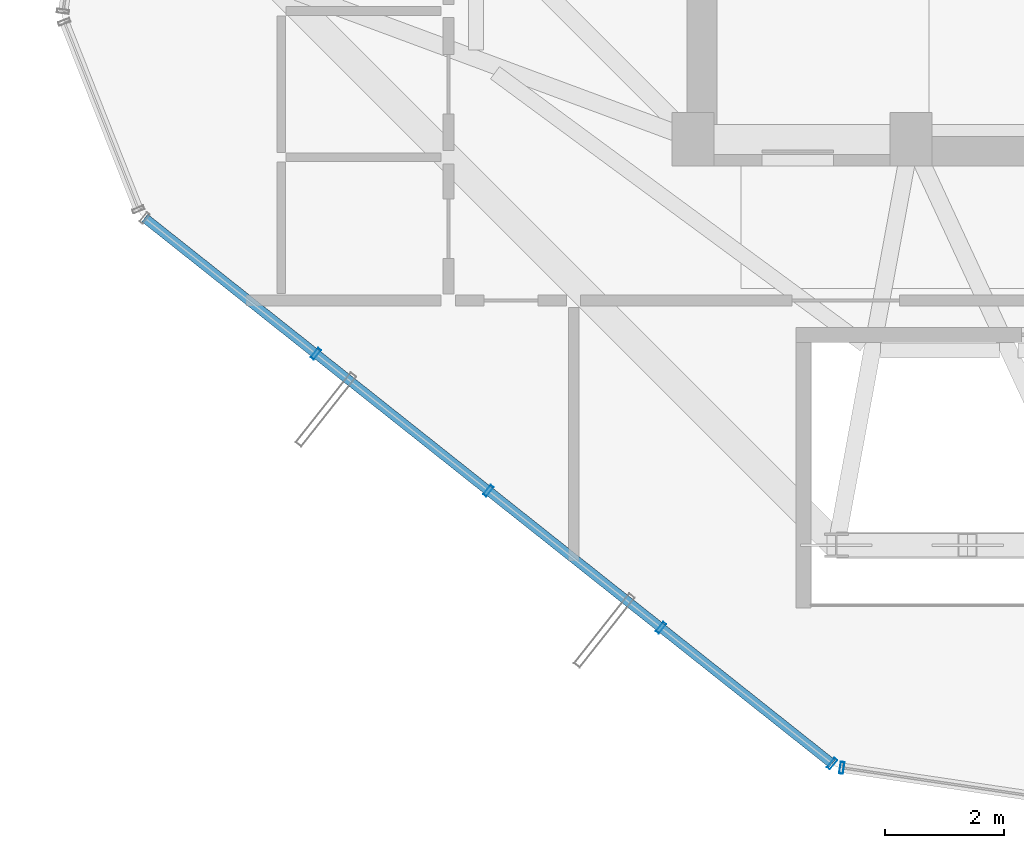
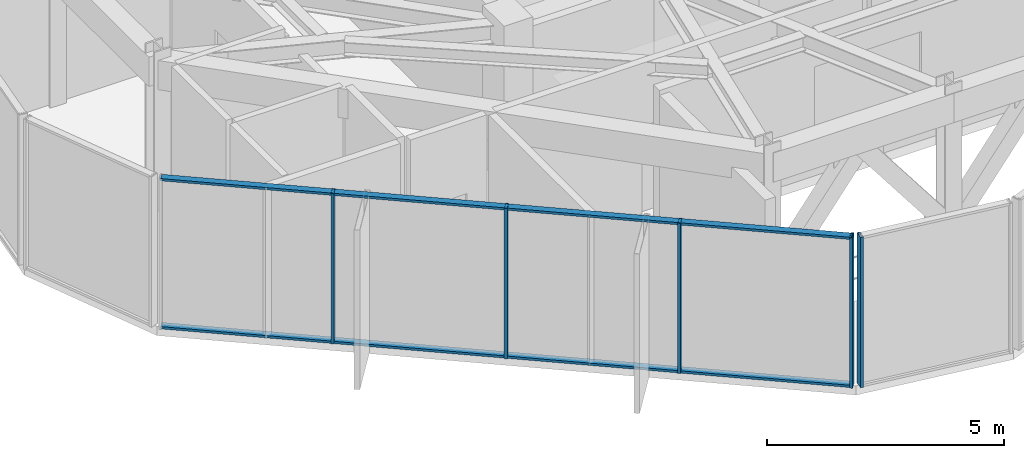
# One storey, part 2 of 22: 7 members, 2 elements without a shape of their own.
"""IFC4 building model written with IfcOpenShell, lengths in metres."""

from ifc_helpers import new_model, si_unit, direction, frame, origin, origin_2d, place, context, subcontext, project, spatial, hollow_rectangle, extrude, source, transform, mapped, material, layer, layer_set, material_profile, profile_set, type_object, element, aggregate, save


model = new_model("IFC4")

# Units and contexts
model_context = context("Model", 3, precision=1e-05, world=origin(), true_north=direction((0.0, 1.0)))
body_context = subcontext(model_context, "Body", "Model", "MODEL_VIEW")
ifc_project = project(units=[si_unit("LENGTHUNIT", "METRE"), si_unit("AREAUNIT", "SQUARE_METRE"), si_unit("VOLUMEUNIT", "CUBIC_METRE"), si_unit("PLANEANGLEUNIT", "RADIAN"), si_unit("MASSUNIT", "GRAM", prefix="KILO")], contexts=[model_context])

# Site, building, storey
site_placement = place(None, origin())
site = spatial("IfcSite", under=ifc_project, at=site_placement, CompositionType="ELEMENT")
building_placement = place(site_placement, origin())
building = spatial("IfcBuilding", under=site, at=building_placement, Name="Veraguas Prism Commons", CompositionType="ELEMENT")
storey_placement = place(building_placement, frame((0.0, 0.0, 236.550048828125)))
storey = spatial("IfcBuildingStorey", under=building, at=storey_placement, Name="L67", CompositionType="ELEMENT", Elevation=236.550048828125)

# Curtain wall, members
ifc_material = material(Name="Anodised aluminium EN AW-6063 T6", Category="aluminium")
ifc_layer = layer(ifc_material, 0.199951171875, Name="Sky Lobby and Pool Acoustic Curtain Wall", Category="aluminium")
ifc_layer_set = layer_set([ifc_layer], Name="Anodised aluminium EN AW-6063 T6")
curtain_wall_type = type_object("IfcCurtainWallType", Name="Sky Lobby and Pool Acoustic Curtain Wall", PredefinedType="NOTDEFINED", material=ifc_layer_set)
curtain_wall_1_placement = place(storey_placement, origin())
curtain_wall_1 = element("IfcCurtainWall", 1, at=curtain_wall_1_placement, inside=storey, type_object=curtain_wall_type, Name="Tower Facade Curtain Wall L67-F4", PredefinedType="NOTDEFINED")
ifc_material_profile_1 = material_profile(ifc_material, hollow_rectangle(XDim=0.06494140625, YDim=0.199951171875, WallThickness=0.00390625, at=origin_2d()), Name="AL65X200X4")
ifc_profile_set_1 = profile_set([ifc_material_profile_1], Name="Anodised aluminium EN AW-6063 T6")
member_type_1 = type_object("IfcMemberType", Name="Curtain Wall Mullion Heavy AL 65x200x4", PredefinedType="MULLION", material=ifc_profile_set_1)
shared_shape_1 = source(origin(), body_context, "Body", "SweptSolid", [
    extrude(hollow_rectangle(XDim=0.06494140625, YDim=0.199951171875, WallThickness=0.00390625, at=origin_2d()), origin(), (0.0, 0.0, 1.0), 3.864990234375),
])
member_1_placement = place(storey_placement, frame((10.87890625, 13.406982421875, 0.0), z_axis=(0.0, 0.0, 1.0), x_axis=(0.78325853836, -0.621696117155, 0.0)))
member_1 = element("IfcMember", 2, at=member_1_placement, type_object=member_type_1, Name="CW-SKY Mullion 2", PredefinedType="MULLION", context=body_context, shape_type="MappedRepresentation", body=[
    mapped(shared_shape_1, transform((0.0, 0.0, 0.0), scale=1.0)),
])
member_2_placement = place(storey_placement, frame((13.770263671875, 11.11181640625, 0.0), z_axis=(0.0, 0.0, 1.0), x_axis=(0.78325853836, -0.621696117155, 0.0)))
member_2 = element("IfcMember", 3, at=member_2_placement, type_object=member_type_1, Name="CW-SKY Mullion 3", PredefinedType="MULLION", context=body_context, shape_type="MappedRepresentation", body=[
    mapped(shared_shape_1, transform((0.0, 0.0, 0.0), scale=1.0)),
])
member_3_placement = place(storey_placement, frame((16.661865234375, 8.81689453125, 0.0), z_axis=(0.0, 0.0, 1.0), x_axis=(0.78325853836, -0.621696117155, 0.0)))
member_3 = element("IfcMember", 4, at=member_3_placement, type_object=member_type_1, Name="CW-SKY Mullion 4", PredefinedType="MULLION", context=body_context, shape_type="MappedRepresentation", body=[
    mapped(shared_shape_1, transform((0.0, 0.0, 0.0), scale=1.0)),
])
member_4_placement = place(storey_placement, frame((19.52783203125, 6.5419921875, 0.0), z_axis=(0.0, 0.0, 1.0), x_axis=(0.78325853836, -0.621696117155, 0.0)))
member_4 = element("IfcMember", 5, at=member_4_placement, type_object=member_type_1, Name="CW-SKY Mullion 5", PredefinedType="MULLION", context=body_context, shape_type="MappedRepresentation", body=[
    mapped(shared_shape_1, transform((0.0, 0.0, 0.0), scale=1.0)),
])

# Curtain wall, member
curtain_wall_2_placement = place(storey_placement, origin())
curtain_wall_2 = element("IfcCurtainWall", 6, at=curtain_wall_2_placement, inside=storey, type_object=curtain_wall_type, Name="Chamfer Curtain Wall L67-C5", PredefinedType="NOTDEFINED")
member_5_placement = place(storey_placement, frame((19.69189453125, 6.470947265625, 0.0), z_axis=(0.0, 0.0, 1.0), x_axis=(0.989168057255, -0.146787446689, 0.0)))
member_5 = element("IfcMember", 7, at=member_5_placement, type_object=member_type_1, Name="CW-SKY Mullion 1", PredefinedType="MULLION", context=body_context, shape_type="MappedRepresentation", body=[
    mapped(shared_shape_1, transform((0.0, 0.0, 0.0), scale=1.0)),
])
aggregate(curtain_wall_2, [member_5])

# Member
ifc_material_profile_2 = material_profile(ifc_material, hollow_rectangle(XDim=0.06005859375, YDim=0.159912109375, WallThickness=0.0029296875, at=origin_2d()), Name="AL60X160X3")
ifc_profile_set_2 = profile_set([ifc_material_profile_2], Name="Anodised aluminium EN AW-6063 T6")
member_type_2 = type_object("IfcMemberType", Name="Curtain Wall Transom Heavy AL 60x160x3", PredefinedType="USERDEFINED", material=ifc_profile_set_2)
shared_shape_2 = source(origin(), body_context, "Body", "SweptSolid", [
    extrude(hollow_rectangle(XDim=0.06005859375, YDim=0.159912109375, WallThickness=0.0029296875, at=origin_2d()), origin(), (0.0, 0.0, 1.0), 14.701416015625),
])
member_6_placement = place(storey_placement, frame((8.012939453125, 15.681884765625, 0.030029296875), z_axis=(0.783252833795, -0.621703304119, 0.0), x_axis=(0.0, 0.0, 1.0)))
member_6 = element("IfcMember", 8, at=member_6_placement, type_object=member_type_2, Name="CW-SKY Transom 1", ObjectType="TRANSOM", PredefinedType="USERDEFINED", context=body_context, shape_type="MappedRepresentation", body=[
    mapped(shared_shape_2, transform((0.0, 0.0, 0.0), scale=1.0)),
])

member_7_placement = place(storey_placement, frame((8.012939453125, 15.681884765625, 3.8349609375), z_axis=(0.783252833795, -0.621703304119, 0.0), x_axis=(0.0, 0.0, 1.0)))
member_7 = element("IfcMember", 9, at=member_7_placement, type_object=member_type_2, Name="CW-SKY Transom 2", ObjectType="TRANSOM", PredefinedType="USERDEFINED", context=body_context, shape_type="MappedRepresentation", body=[
    mapped(shared_shape_2, transform((0.0, 0.0, 0.0), scale=1.0)),
])

aggregate(curtain_wall_1, [member_1, member_2, member_3, member_4, member_6, member_7])

save(model, "model.ifc")
